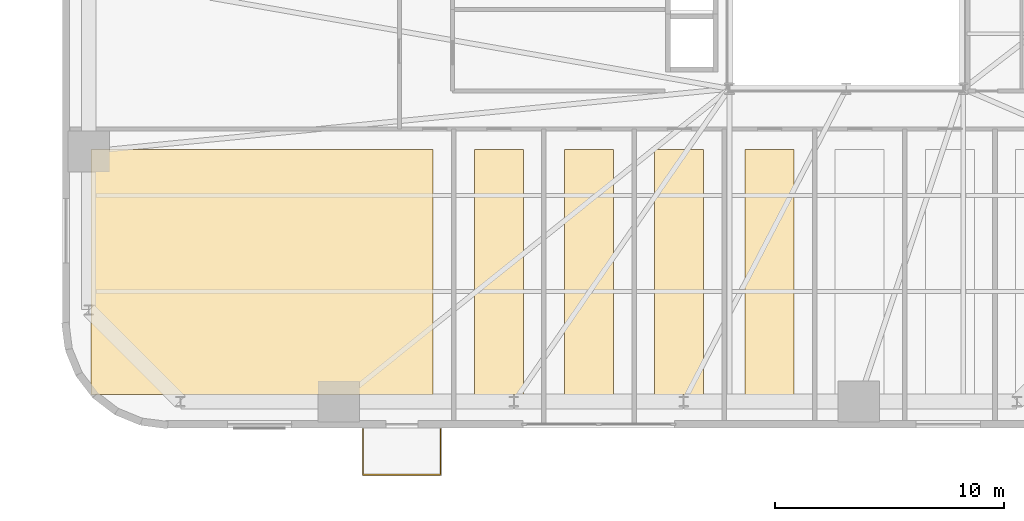
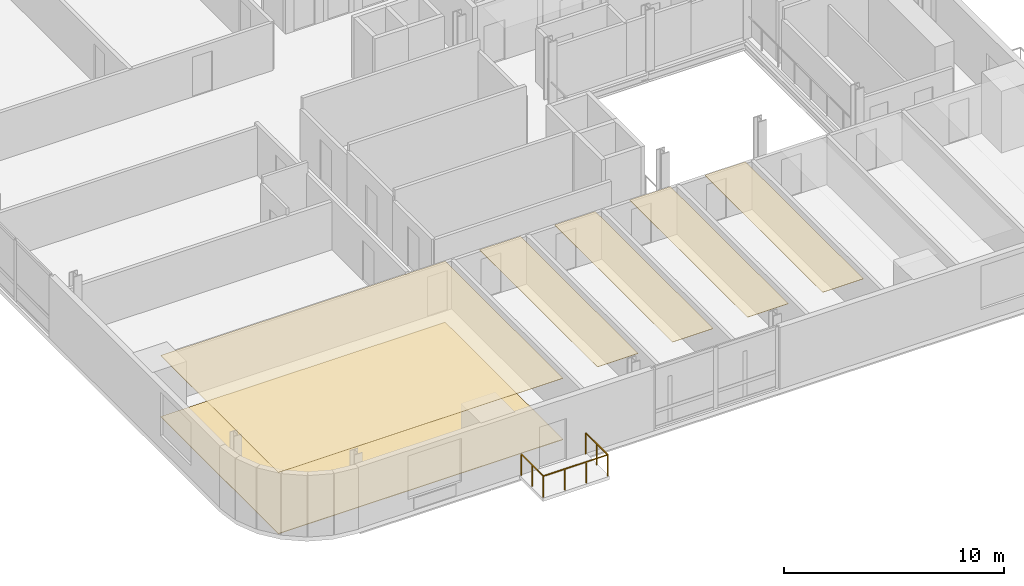
# One storey, part 10 of 13: 6 coverings, 1 railing.
"""IFC4 building model written with IfcOpenShell, lengths in metres."""

from ifc_helpers import new_model, si_unit, direction, frame, origin, origin_2d, place, context, subcontext, project, spatial, polyline, rectangle, outline, extrude, source, transform, mapped, material, layer, layer_set, type_object, element, save


model = new_model("IFC4")

# Units and contexts
model_context = context("Model", 3, precision=1e-05, world=origin(), true_north=direction((0.0, 1.0)))
body_context = subcontext(model_context, "Body", "Model", "MODEL_VIEW")
ifc_project = project(units=[si_unit("LENGTHUNIT", "METRE"), si_unit("AREAUNIT", "SQUARE_METRE"), si_unit("VOLUMEUNIT", "CUBIC_METRE"), si_unit("PLANEANGLEUNIT", "RADIAN"), si_unit("MASSUNIT", "GRAM", prefix="KILO")], contexts=[model_context])

# Site, building, storey
site_placement = place(None, origin())
site = spatial("IfcSite", under=ifc_project, at=site_placement, CompositionType="ELEMENT")
building_placement = place(site_placement, origin())
building = spatial("IfcBuilding", under=site, at=building_placement, Name="Vardaveli Station Tower", CompositionType="ELEMENT")
storey_placement = place(building_placement, frame((0.0, 0.0, 56.800048828125)))
storey = spatial("IfcBuildingStorey", under=building, at=storey_placement, Name="L14", CompositionType="ELEMENT", Elevation=56.800048828125)

# Coverings
ifc_material_1 = material(Name="Perforated acoustic mineral ceiling")
ifc_layer_1 = layer(ifc_material_1, 0.02001953125, Name="Perforated acoustic mineral ceiling")
ifc_layer_set_1 = layer_set([ifc_layer_1], Name="Perforated acoustic mineral ceiling")
covering_type_1 = type_object("IfcCoveringType", Name="COV-CEIL-AC20", PredefinedType="CEILING", material=ifc_layer_set_1)
covering_1_placement = place(storey_placement, frame((0.0, 0.0, 3.39501953125)))
element("IfcCovering", 1, at=covering_1_placement, inside=storey, type_object=covering_type_1, Name="CEIL-L14-1", PredefinedType="CEILING", context=body_context, shape_type="SweptSolid", body=[
    extrude(outline(polyline([(3.35009765625, 3.25), (18.27001953125, 3.25), (18.27001953125, 13.949951171875), (3.35009765625, 13.949951171875), (3.35009765625, 3.25)])), origin(), (0.0, 0.0, 1.0), 0.02001953125),
])
covering_2_placement = place(storey_placement, frame((0.0, 0.0, 3.39501953125)))
element("IfcCovering", 2, at=covering_2_placement, inside=storey, type_object=covering_type_1, Name="CEIL-L14-2", PredefinedType="CEILING", context=body_context, shape_type="SweptSolid", body=[
    extrude(outline(polyline([(20.070068359375, 3.25), (22.206298828125, 3.25), (22.206298828125, 13.949951171875), (20.070068359375, 13.949951171875), (20.070068359375, 3.25)])), origin(), (0.0, 0.0, 1.0), 0.02001953125),
])
covering_3_placement = place(storey_placement, frame((0.0, 0.0, 3.39501953125)))
element("IfcCovering", 3, at=covering_3_placement, inside=storey, type_object=covering_type_1, Name="CEIL-L14-3", PredefinedType="CEILING", context=body_context, shape_type="SweptSolid", body=[
    extrude(outline(polyline([(24.006103515625, 3.25), (26.142578125, 3.25), (26.142578125, 13.949951171875), (24.006103515625, 13.949951171875), (24.006103515625, 3.25)])), origin(), (0.0, 0.0, 1.0), 0.02001953125),
])
covering_4_placement = place(storey_placement, frame((0.0, 0.0, 3.39501953125)))
element("IfcCovering", 4, at=covering_4_placement, inside=storey, type_object=covering_type_1, Name="CEIL-L14-4", PredefinedType="CEILING", context=body_context, shape_type="SweptSolid", body=[
    extrude(outline(polyline([(27.9423828125, 3.25), (30.07861328125, 3.25), (30.07861328125, 13.949951171875), (27.9423828125, 13.949951171875), (27.9423828125, 3.25)])), origin(), (0.0, 0.0, 1.0), 0.02001953125),
])
covering_5_placement = place(storey_placement, frame((0.0, 0.0, 3.39501953125)))
element("IfcCovering", 5, at=covering_5_placement, inside=storey, type_object=covering_type_1, Name="CEIL-L14-5", PredefinedType="CEILING", context=body_context, shape_type="SweptSolid", body=[
    extrude(outline(polyline([(31.878662109375, 3.25), (34.014892578125, 3.25), (34.014892578125, 13.949951171875), (31.878662109375, 13.949951171875), (31.878662109375, 3.25)])), origin(), (0.0, 0.0, 1.0), 0.02001953125),
])
ifc_material_2 = material(Name="Honed Caucasian basalt and travertine flooring", Category="masonry")
ifc_layer_2 = layer(ifc_material_2, 0.030029296875, Name="Honed Caucasian basalt and travertine flooring")
ifc_layer_set_2 = layer_set([ifc_layer_2], Name="Honed Caucasian basalt and travertine flooring")
covering_type_2 = type_object("IfcCoveringType", Name="COV-FLOOR-ST30", PredefinedType="FLOORING", material=ifc_layer_set_2)
covering_6_placement = place(storey_placement, origin())
element("IfcCovering", 6, at=covering_6_placement, inside=storey, type_object=covering_type_2, Name="FLR-L14-1", PredefinedType="FLOORING", context=body_context, shape_type="SweptSolid", body=[
    extrude(outline(polyline([(3.35009765625, 3.25), (18.27001953125, 3.25), (18.27001953125, 13.949951171875), (3.35009765625, 13.949951171875), (3.35009765625, 3.25)])), origin(), (0.0, 0.0, 1.0), 0.030029296875),
])

# Railing
ifc_material_3 = material(Name="Laminated glass and stainless steel balustrade", Category="steel")
railing_type = type_object("IfcRailingType", Name="RL-BAL-1200", PredefinedType="BALUSTRADE", material=ifc_material_3)
shared_shape = source(origin(), body_context, "Body", "SweptSolid", [
    extrude(rectangle(XDim=0.048095703125, YDim=0.048095703125, at=origin_2d()), frame((0.0, 0.0, 1.17578125), z_axis=(0.0, -1.0, 0.0), x_axis=(1.0, 0.0, 0.0)), (0.0, 0.0, 1.0), 2.0),
    extrude(rectangle(XDim=0.048095703125, YDim=0.048095703125, at=origin_2d()), frame((0.0, -2.0, 1.17578125), z_axis=(1.0, 0.0, 0.0), x_axis=(0.0, 1.0, 0.0)), (0.0, 0.0, 1.0), 3.3798828125),
    extrude(rectangle(XDim=0.048095703125, YDim=0.048095703125, at=origin_2d()), frame((3.3798828125, -2.0, 1.17578125), z_axis=(0.0, 1.0, 0.0), x_axis=(-1.0, 0.0, 0.0)), (0.0, 0.0, 1.0), 2.0),
    extrude(rectangle(XDim=0.0419921875, YDim=0.0419921875, at=origin_2d()), origin(), (0.0, 0.0, 1.0), 1.15185546875),
    extrude(rectangle(XDim=0.0419921875, YDim=0.0419921875, at=origin_2d()), frame((0.0, -1.0, 0.0)), (0.0, 0.0, 1.0), 1.15185546875),
    extrude(rectangle(XDim=0.0419921875, YDim=0.0419921875, at=origin_2d()), frame((0.0, -2.0, 0.0)), (0.0, 0.0, 1.0), 1.15185546875),
    extrude(rectangle(XDim=0.0419921875, YDim=0.0419921875, at=origin_2d()), frame((1.126708984375, -2.0, 0.0)), (0.0, 0.0, 1.0), 1.15185546875),
    extrude(rectangle(XDim=0.0419921875, YDim=0.0419921875, at=origin_2d()), frame((2.253173828125, -2.0, 0.0)), (0.0, 0.0, 1.0), 1.15185546875),
    extrude(rectangle(XDim=0.0419921875, YDim=0.0419921875, at=origin_2d()), frame((3.3798828125, -2.0, 0.0)), (0.0, 0.0, 1.0), 1.15185546875),
    extrude(rectangle(XDim=0.0419921875, YDim=0.0419921875, at=origin_2d()), frame((3.3798828125, -1.0, 0.0)), (0.0, 0.0, 1.0), 1.15185546875),
    extrude(rectangle(XDim=0.0419921875, YDim=0.0419921875, at=origin_2d()), frame((3.3798828125, 0.0, 0.0)), (0.0, 0.0, 1.0), 1.15185546875),
])
railing_placement = place(storey_placement, frame((15.220458984375, 1.760009765625, 0.0)))
element("IfcRailing", 7, at=railing_placement, inside=storey, type_object=railing_type, Name="RL-LOG-L14-01", PredefinedType="BALUSTRADE", context=body_context, shape_type="MappedRepresentation", body=[
    mapped(shared_shape, transform((0.0, 0.0, 0.0), scale=1.0)),
])

save(model, "model.ifc")
